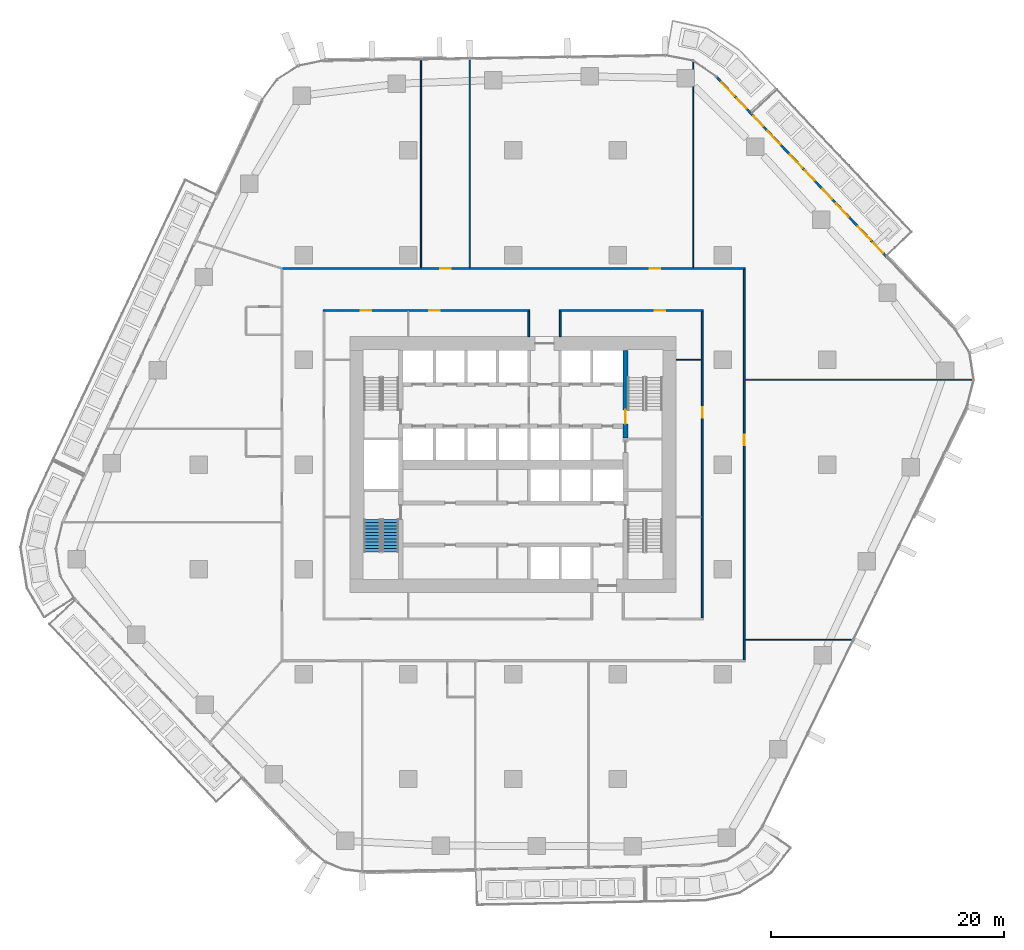
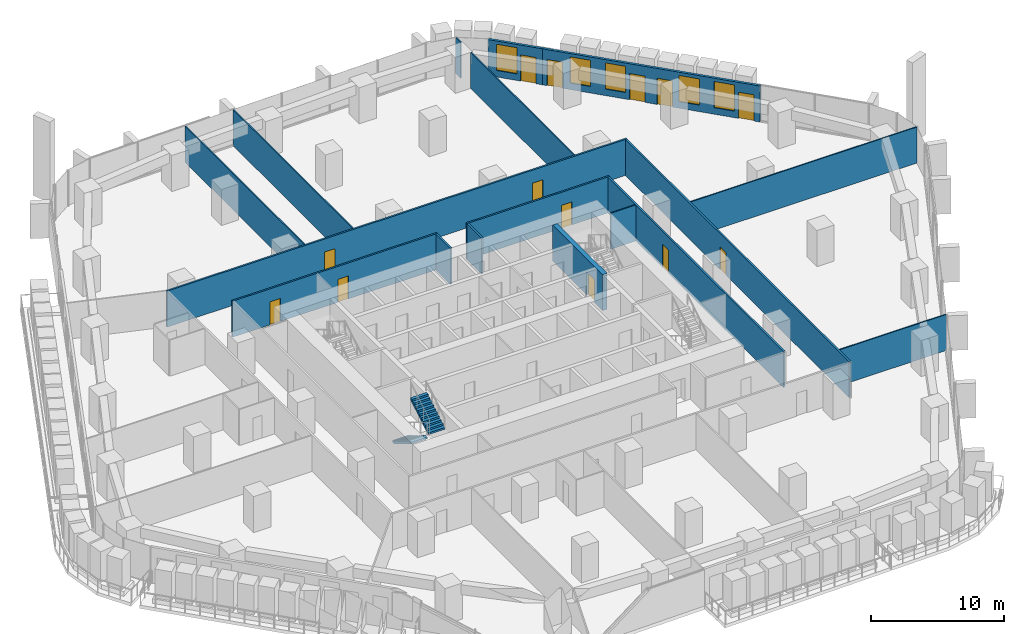
# One storey, part 17 of 25: 17 walls, 13 doors, 5 windows, 2 stair flights, 18 openings, 1 element without a shape of its own.
"""IFC4 building model written with IfcOpenShell, lengths in metres."""

from ifc_helpers import new_model, si_unit, direction, frame, frame_2d, origin, place, context, subcontext, project, spatial, polyline, rectangle, outline, extrude, material, layer, layer_set, type_object, element, fill, aggregate, save


model = new_model("IFC4")

# Units and contexts
model_context = context("Model", 3, precision=1e-05, world=origin(), true_north=direction((0.0, 1.0)))
body_context = subcontext(model_context, "Body", "Model", "MODEL_VIEW")
ifc_project = project(units=[si_unit("LENGTHUNIT", "METRE"), si_unit("AREAUNIT", "SQUARE_METRE"), si_unit("VOLUMEUNIT", "CUBIC_METRE"), si_unit("PLANEANGLEUNIT", "RADIAN"), si_unit("MASSUNIT", "GRAM", prefix="KILO")], contexts=[model_context])

# Site, building, storey
site_placement = place(None, origin())
site = spatial("IfcSite", under=ifc_project, at=site_placement, CompositionType="ELEMENT")
building_placement = place(site_placement, origin())
building = spatial("IfcBuilding", under=site, at=building_placement, Name="Dongbaek Canopy Tower", CompositionType="ELEMENT")
storey_placement = place(building_placement, frame((0.0, 0.0, 77.300048828125)))
storey = spatial("IfcBuildingStorey", under=building, at=storey_placement, Name="L15", CompositionType="ELEMENT", Elevation=77.300048828125)

# Wall, openings, doors
ifc_material_1 = material(Name="Gypsum board partition, steel stud, 2 x 15 mm fire board", Category="steel")
ifc_layer_1 = layer(ifc_material_1, 0.14990234375)
ifc_layer_set_1 = layer_set([ifc_layer_1], Name="Fire-rated partition 150 gypsum board")
wall_type_1 = type_object("IfcWallType", Name="Fire-rated partition 150 gypsum board", PredefinedType="PARTITIONING", material=ifc_layer_set_1)
wall_1_placement = place(storey_placement, frame((1.425048828125, 13.25, 0.0), z_axis=(0.0, 0.0, 1.0), x_axis=(-1.0, 0.0, 0.0)))
wall_1 = element("IfcWall", 1, at=wall_1_placement, inside=storey, type_object=wall_type_1, Name="Corridor partition", PredefinedType="PARTITIONING", context=body_context, shape_type="SweptSolid", body=[
    extrude(rectangle(XDim=17.75, YDim=0.14990234375, at=frame_2d((8.875, 0.0))), origin(), (0.0, 0.0, 1.0), 3.300048828125),
])
opening_1_placement = place(wall_1_placement, frame((7.72509765625, 0.0, 0.0)))
opening_1 = element("IfcOpeningElement", 2, at=opening_1_placement, cuts=wall_1, Name="Opening L15-D019", PredefinedType="OPENING", context=body_context, shape_type="SweptSolid", body=[
    extrude(rectangle(XDim=0.89990234375, YDim=2.10009765625, at=frame_2d((0.449951171875, 1.050048828125))), frame((0.0, 0.0849609375, 0.0), z_axis=(0.0, -1.0, 0.0), x_axis=(1.0, 0.0, 0.0)), (0.0, 0.0, 1.0), 0.169921875),
])
opening_2_placement = place(wall_1_placement, frame((13.60009765625, 0.0, 0.0)))
opening_2 = element("IfcOpeningElement", 3, at=opening_2_placement, cuts=wall_1, Name="Opening L15-D020", PredefinedType="OPENING", context=body_context, shape_type="SweptSolid", body=[
    extrude(rectangle(XDim=0.89990234375, YDim=2.10009765625, at=frame_2d((0.449951171875, 1.050048828125))), frame((0.0, 0.0849609375, 0.0), z_axis=(0.0, -1.0, 0.0), x_axis=(1.0, 0.0, 0.0)), (0.0, 0.0, 1.0), 0.169921875),
])
ifc_material_2 = material(Name="Timber veneered door leaf", Category="wood")
door_type_1 = type_object("IfcDoorType", Name="Room door 900 x 2100", OperationType="SINGLE_SWING_LEFT", PredefinedType="DOOR", material=ifc_material_2)
door_1_placement = place(opening_1_placement, origin())
door_1 = element("IfcDoor", 4, at=door_1_placement, inside=storey, type_object=door_type_1, Name="Door L15-D019", OperationType="SINGLE_SWING_LEFT", OverallHeight=2.10009765625, OverallWidth=0.89990234375, PredefinedType="DOOR", context=body_context, shape_type="SweptSolid", body=[
    extrude(rectangle(XDim=0.89990234375, YDim=2.10009765625, at=frame_2d((0.449951171875, 1.050048828125))), frame((0.0, 0.02490234375, 0.0), z_axis=(0.0, -1.0, 0.0), x_axis=(1.0, 0.0, 0.0)), (0.0, 0.0, 1.0), 0.050048828125),
])
fill(opening_1, door_1)
door_2_placement = place(opening_2_placement, origin())
door_2 = element("IfcDoor", 5, at=door_2_placement, inside=storey, type_object=door_type_1, Name="Door L15-D020", OperationType="SINGLE_SWING_RIGHT", OverallHeight=2.10009765625, OverallWidth=0.89990234375, PredefinedType="DOOR", context=body_context, shape_type="SweptSolid", body=[
    extrude(rectangle(XDim=0.89990234375, YDim=2.10009765625, at=frame_2d((0.449951171875, 1.050048828125))), frame((0.0, 0.02490234375, 0.0), z_axis=(0.0, -1.0, 0.0), x_axis=(1.0, 0.0, 0.0)), (0.0, 0.0, 1.0), 0.050048828125),
])
fill(opening_2, door_2)

# Wall, opening, door
wall_2_placement = place(storey_placement, frame((16.324951171875, 13.25, 0.0), z_axis=(0.0, 0.0, 1.0), x_axis=(-1.0, 0.0, 0.0)))
wall_2 = element("IfcWall", 6, at=wall_2_placement, inside=storey, type_object=wall_type_1, Name="Corridor partition", PredefinedType="PARTITIONING", context=body_context, shape_type="SweptSolid", body=[
    extrude(rectangle(XDim=12.349853515625, YDim=0.14990234375, at=frame_2d((6.1748046875, 0.0))), origin(), (0.0, 0.0, 1.0), 3.300048828125),
])
opening_3_placement = place(wall_2_placement, frame((3.25, 0.0, 0.0)))
opening_3 = element("IfcOpeningElement", 7, at=opening_3_placement, cuts=wall_2, Name="Opening L15-D018", PredefinedType="OPENING", context=body_context, shape_type="SweptSolid", body=[
    extrude(rectangle(XDim=0.89990234375, YDim=2.10009765625, at=frame_2d((0.449951171875, 1.050048828125))), frame((0.0, 0.0849609375, 0.0), z_axis=(0.0, -1.0, 0.0), x_axis=(1.0, 0.0, 0.0)), (0.0, 0.0, 1.0), 0.169921875),
])
door_3_placement = place(opening_3_placement, origin())
door_3 = element("IfcDoor", 8, at=door_3_placement, inside=storey, type_object=door_type_1, Name="Door L15-D018", OperationType="SINGLE_SWING_RIGHT", OverallHeight=2.10009765625, OverallWidth=0.89990234375, PredefinedType="DOOR", context=body_context, shape_type="SweptSolid", body=[
    extrude(rectangle(XDim=0.89990234375, YDim=2.10009765625, at=frame_2d((0.449951171875, 1.050048828125))), frame((0.0, 0.02490234375, 0.0), z_axis=(0.0, -1.0, 0.0), x_axis=(1.0, 0.0, 0.0)), (0.0, 0.0, 1.0), 0.050048828125),
])
fill(opening_3, door_3)

# Wall, openings, doors
wall_3_placement = place(storey_placement, frame((-19.925048828125, 16.85009765625, 0.0), z_axis=(0.0, 0.0, 1.0), x_axis=(1.0, 0.0, 0.0)))
wall_3 = element("IfcWall", 9, at=wall_3_placement, inside=storey, type_object=wall_type_1, Name="Corridor partition", PredefinedType="PARTITIONING", context=body_context, shape_type="SweptSolid", body=[
    extrude(rectangle(XDim=39.85009765625, YDim=0.14990234375, at=frame_2d((19.925048828125, 0.0))), origin(), (0.0, 0.0, 1.0), 3.300048828125),
])
opening_4_placement = place(wall_3_placement, frame((31.66748046875, 0.0, 0.0)))
opening_4 = element("IfcOpeningElement", 10, at=opening_4_placement, cuts=wall_3, Name="Opening L15-D010", PredefinedType="OPENING", context=body_context, shape_type="SweptSolid", body=[
    extrude(rectangle(XDim=0.89990234375, YDim=2.10009765625, at=frame_2d((0.449951171875, 1.050048828125))), frame((0.0, 0.0849609375, 0.0), z_axis=(0.0, -1.0, 0.0), x_axis=(1.0, 0.0, 0.0)), (0.0, 0.0, 1.0), 0.169921875),
])
opening_5_placement = place(wall_3_placement, frame((13.655517578125, 0.0, 0.0)))
opening_5 = element("IfcOpeningElement", 11, at=opening_5_placement, cuts=wall_3, Name="Opening L15-D011", PredefinedType="OPENING", context=body_context, shape_type="SweptSolid", body=[
    extrude(rectangle(XDim=0.89990234375, YDim=2.10009765625, at=frame_2d((0.449951171875, 1.050048828125))), frame((0.0, 0.0849609375, 0.0), z_axis=(0.0, -1.0, 0.0), x_axis=(1.0, 0.0, 0.0)), (0.0, 0.0, 1.0), 0.169921875),
])
door_4_placement = place(opening_4_placement, origin())
door_4 = element("IfcDoor", 12, at=door_4_placement, inside=storey, type_object=door_type_1, Name="Door L15-D010", OperationType="SINGLE_SWING_LEFT", OverallHeight=2.10009765625, OverallWidth=0.89990234375, PredefinedType="DOOR", context=body_context, shape_type="SweptSolid", body=[
    extrude(rectangle(XDim=0.89990234375, YDim=2.10009765625, at=frame_2d((0.449951171875, 1.050048828125))), frame((0.0, 0.02490234375, 0.0), z_axis=(0.0, -1.0, 0.0), x_axis=(1.0, 0.0, 0.0)), (0.0, 0.0, 1.0), 0.050048828125),
])
fill(opening_4, door_4)
door_5_placement = place(opening_5_placement, origin())
door_5 = element("IfcDoor", 13, at=door_5_placement, inside=storey, type_object=door_type_1, Name="Door L15-D011", OperationType="SINGLE_SWING_RIGHT", OverallHeight=2.10009765625, OverallWidth=0.89990234375, PredefinedType="DOOR", context=body_context, shape_type="SweptSolid", body=[
    extrude(rectangle(XDim=0.89990234375, YDim=2.10009765625, at=frame_2d((0.449951171875, 1.050048828125))), frame((0.0, 0.02490234375, 0.0), z_axis=(0.0, -1.0, 0.0), x_axis=(1.0, 0.0, 0.0)), (0.0, 0.0, 1.0), 0.050048828125),
])
fill(opening_5, door_5)

# Wall, opening, door
wall_4_placement = place(storey_placement, frame((19.85009765625, 16.77490234375, 0.0), z_axis=(0.0, 0.0, 1.0), x_axis=(0.0, -1.0, 0.0)))
wall_4 = element("IfcWall", 14, at=wall_4_placement, inside=storey, type_object=wall_type_1, Name="Corridor partition", PredefinedType="PARTITIONING", context=body_context, shape_type="SweptSolid", body=[
    extrude(rectangle(XDim=33.5498046875, YDim=0.14990234375, at=frame_2d((16.77490234375, 0.0))), origin(), (0.0, 0.0, 1.0), 3.300048828125),
])
opening_6_placement = place(wall_4_placement, frame((14.189697265625, 0.0, 0.0)))
opening_6 = element("IfcOpeningElement", 15, at=opening_6_placement, cuts=wall_4, Name="Opening L15-D009", PredefinedType="OPENING", context=body_context, shape_type="SweptSolid", body=[
    extrude(rectangle(XDim=0.89990234375, YDim=2.10009765625, at=frame_2d((0.449951171875, 1.050048828125))), frame((0.0, 0.0849609375, 0.0), z_axis=(0.0, -1.0, 0.0), x_axis=(1.0, 0.0, 0.0)), (0.0, 0.0, 1.0), 0.169921875),
])
door_6_placement = place(opening_6_placement, origin())
door_6 = element("IfcDoor", 16, at=door_6_placement, inside=storey, type_object=door_type_1, Name="Door L15-D009", OperationType="SINGLE_SWING_RIGHT", OverallHeight=2.10009765625, OverallWidth=0.89990234375, PredefinedType="DOOR", context=body_context, shape_type="SweptSolid", body=[
    extrude(rectangle(XDim=0.89990234375, YDim=2.10009765625, at=frame_2d((0.449951171875, 1.050048828125))), frame((0.0, 0.02490234375, 0.0), z_axis=(0.0, -1.0, 0.0), x_axis=(1.0, 0.0, 0.0)), (0.0, 0.0, 1.0), 0.050048828125),
])
fill(opening_6, door_6)

wall_5_placement = place(storey_placement, frame((16.25, -13.175048828125, 0.0), z_axis=(0.0, 0.0, 1.0), x_axis=(0.0, 1.0, 0.0)))
wall_5 = element("IfcWall", 17, at=wall_5_placement, inside=storey, type_object=wall_type_1, Name="Corridor partition", PredefinedType="PARTITIONING", context=body_context, shape_type="SweptSolid", body=[
    extrude(rectangle(XDim=26.35009765625, YDim=0.14990234375, at=frame_2d((13.175048828125, 0.0))), origin(), (0.0, 0.0, 1.0), 3.300048828125),
])
opening_7_placement = place(wall_5_placement, frame((17.22509765625, 0.0, 0.0)))
opening_7 = element("IfcOpeningElement", 18, at=opening_7_placement, cuts=wall_5, Name="Opening L15-D017", PredefinedType="OPENING", context=body_context, shape_type="SweptSolid", body=[
    extrude(rectangle(XDim=0.89990234375, YDim=2.10009765625, at=frame_2d((0.449951171875, 1.050048828125))), frame((0.0, 0.0849609375, 0.0), z_axis=(0.0, -1.0, 0.0), x_axis=(1.0, 0.0, 0.0)), (0.0, 0.0, 1.0), 0.169921875),
])
door_7_placement = place(opening_7_placement, origin())
door_7 = element("IfcDoor", 19, at=door_7_placement, inside=storey, type_object=door_type_1, Name="Door L15-D017", OperationType="SINGLE_SWING_LEFT", OverallHeight=2.10009765625, OverallWidth=0.89990234375, PredefinedType="DOOR", context=body_context, shape_type="SweptSolid", body=[
    extrude(rectangle(XDim=0.89990234375, YDim=2.10009765625, at=frame_2d((0.449951171875, 1.050048828125))), frame((0.0, 0.02490234375, 0.0), z_axis=(0.0, -1.0, 0.0), x_axis=(1.0, 0.0, 0.0)), (0.0, 0.0, 1.0), 0.050048828125),
])
fill(opening_7, door_7)

# Walls
for number, where, z_axis, x_axis, name in (
    (20, (4.050048828125, 11.0, 0.0), (0.0, 0.0, 1.0), (0.0, 1.0, 0.0), "Corridor partition"),
    (21, (1.35009765625, 11.0, 0.0), (0.0, 0.0, 1.0), (0.0, 1.0, 0.0), "Corridor partition"),
):
    element("IfcWall", number, at=place(storey_placement, frame(where, z_axis=z_axis, x_axis=x_axis)), inside=storey, type_object=wall_type_1, Name=name, PredefinedType="PARTITIONING", context=body_context, shape_type="SweptSolid", body=[
        extrude(rectangle(XDim=2.175048828125, YDim=0.14990234375, at=frame_2d((1.08740234375, 0.0))), origin(), (0.0, 0.0, 1.0), 3.300048828125),
    ])
ifc_material_3 = material(Name="Gypsum board partition, steel stud, 2 x 12.5 mm board", Category="steel")
ifc_layer_2 = layer(ifc_material_3, 0.10009765625)
ifc_layer_set_2 = layer_set([ifc_layer_2], Name="Partition 100 gypsum board")
wall_type_2 = type_object("IfcWallType", Name="Partition 100 gypsum board", PredefinedType="PARTITIONING", material=ifc_layer_set_2)
wall_6_placement = place(storey_placement, frame((19.925048828125, -15.048095703125, 0.0), z_axis=(0.0, 0.0, 1.0), x_axis=(1.0, 0.0, 0.0)))
element("IfcWall", 22, at=wall_6_placement, inside=storey, type_object=wall_type_2, Name="Partition", PredefinedType="PARTITIONING", context=body_context, shape_type="SweptSolid", body=[
    extrude(rectangle(XDim=9.259765625, YDim=0.10009765625, at=frame_2d((4.6298828125, 0.0))), origin(), (0.0, 0.0, 1.0), 3.300048828125),
])
wall_7_placement = place(storey_placement, frame((19.925048828125, 7.2900390625, 0.0), z_axis=(0.0, 0.0, 1.0), x_axis=(1.0, 0.0, 0.0)))
element("IfcWall", 23, at=wall_7_placement, inside=storey, type_object=wall_type_2, Name="Partition", PredefinedType="PARTITIONING", context=body_context, shape_type="SweptSolid", body=[
    extrude(rectangle(XDim=19.608642578125, YDim=0.10009765625, at=frame_2d((9.80419921875, 0.0))), origin(), (0.0, 0.0, 1.0), 3.300048828125),
])
wall_8_placement = place(storey_placement, frame((14.0, 9.0, 0.0), z_axis=(0.0, 0.0, 1.0), x_axis=(1.0, 0.0, 0.0)))
element("IfcWall", 24, at=wall_8_placement, inside=storey, type_object=wall_type_2, Name="Partition", PredefinedType="PARTITIONING", context=body_context, shape_type="SweptSolid", body=[
    extrude(rectangle(XDim=2.175048828125, YDim=0.10009765625, at=frame_2d((1.08740234375, 0.0))), origin(), (0.0, 0.0, 1.0), 3.300048828125),
])
wall_9_placement = place(storey_placement, frame((15.4609375, 16.925048828125, 0.0), z_axis=(0.0, 0.0, 1.0), x_axis=(0.0, 1.0, 0.0)))
element("IfcWall", 25, at=wall_9_placement, inside=storey, type_object=wall_type_2, Name="Partition", PredefinedType="PARTITIONING", context=body_context, shape_type="SweptSolid", body=[
    extrude(rectangle(XDim=15.51904296875, YDim=0.10009765625, at=frame_2d((7.759521484375, 0.0))), origin(), (0.0, 0.0, 1.0), 3.300048828125),
])
wall_10_placement = place(storey_placement, frame((15.4609375, 33.944091796875, 0.0), z_axis=(0.0, 0.0, 1.0), x_axis=(0.0, 1.0, 0.0)))
element("IfcWall", 26, at=wall_10_placement, inside=storey, type_object=wall_type_2, Name="Partition", PredefinedType="PARTITIONING", context=body_context, shape_type="SweptSolid", body=[
    extrude(rectangle(XDim=0.72509765625, YDim=0.10009765625, at=frame_2d((0.362548828125, 0.0))), origin(), (0.0, 0.0, 1.0), 3.300048828125),
])
wall_11_placement = place(storey_placement, frame((-3.719970703125, 16.925048828125, 0.0), z_axis=(0.0, 0.0, 1.0), x_axis=(0.0, 1.0, 0.0)))
element("IfcWall", 27, at=wall_11_placement, inside=storey, type_object=wall_type_2, Name="Partition", PredefinedType="PARTITIONING", context=body_context, shape_type="SweptSolid", body=[
    extrude(rectangle(XDim=17.94775390625, YDim=0.10009765625, at=frame_2d((8.973876953125, 0.0))), origin(), (0.0, 0.0, 1.0), 3.300048828125),
])
wall_12_placement = place(storey_placement, frame((-7.9189453125, 16.925048828125, 0.0), z_axis=(0.0, 0.0, 1.0), x_axis=(0.0, 1.0, 0.0)))
element("IfcWall", 28, at=wall_12_placement, inside=storey, type_object=wall_type_2, Name="Partition", PredefinedType="PARTITIONING", context=body_context, shape_type="SweptSolid", body=[
    extrude(rectangle(XDim=17.88134765625, YDim=0.10009765625, at=frame_2d((8.940673828125, 0.0))), origin(), (0.0, 0.0, 1.0), 3.300048828125),
])

# Wall, opening, door
ifc_material_4 = material(Name="Concrete C60/75", Category="concrete")
ifc_layer_3 = layer(ifc_material_4, 0.39990234375)
ifc_layer_set_3 = layer_set([ifc_layer_3], Name="Stair wall 400 Concrete C60/75")
wall_type_3 = type_object("IfcWallType", Name="Stair wall 400 Concrete C60/75", PredefinedType="SHEAR", material=ifc_layer_set_3)
wall_13_placement = place(storey_placement, frame((9.64990234375, 9.800048828125, 0.0), z_axis=(0.0, 0.0, 1.0), x_axis=(0.0, -1.0, 0.0)))
wall_13 = element("IfcWall", 29, at=wall_13_placement, inside=storey, type_object=wall_type_3, Name="Stair wall", PredefinedType="SHEAR", context=body_context, shape_type="SweptSolid", body=[
    extrude(rectangle(XDim=7.5, YDim=0.39990234375, at=frame_2d((3.75, 0.0))), origin(), (0.0, 0.0, 1.0), 3.300048828125),
])
opening_8_placement = place(wall_13_placement, frame((5.10009765625, 0.0, 0.0)))
opening_8 = element("IfcOpeningElement", 30, at=opening_8_placement, cuts=wall_13, Name="Opening L15-D045", PredefinedType="OPENING", context=body_context, shape_type="SweptSolid", body=[
    extrude(rectangle(XDim=1.199951171875, YDim=2.10009765625, at=frame_2d((0.60009765625, 1.050048828125))), frame((0.0, 0.2099609375, 0.0), z_axis=(0.0, -1.0, 0.0), x_axis=(1.0, 0.0, 0.0)), (0.0, 0.0, 1.0), 0.419921875),
])
ifc_material_5 = material(Name="Steel", Category="steel")
door_type_2 = type_object("IfcDoorType", Name="Stair door 1200 x 2100", OperationType="SINGLE_SWING_LEFT", PredefinedType="DOOR", material=ifc_material_5)
door_8_placement = place(opening_8_placement, origin())
door_8 = element("IfcDoor", 31, at=door_8_placement, inside=storey, type_object=door_type_2, Name="Stair A door", OperationType="SINGLE_SWING_LEFT", OverallHeight=2.10009765625, OverallWidth=1.199951171875, PredefinedType="DOOR", context=body_context, shape_type="SweptSolid", body=[
    extrude(rectangle(XDim=1.199951171875, YDim=2.10009765625, at=frame_2d((0.60009765625, 1.050048828125))), frame((0.0, 0.02490234375, 0.0), z_axis=(0.0, -1.0, 0.0), x_axis=(1.0, 0.0, 0.0)), (0.0, 0.0, 1.0), 0.050048828125),
])
fill(opening_8, door_8)

# Wall, openings, doors, windows
ifc_material_6 = material(Name="Aluminium window wall", Category="aluminium")
ifc_layer_4 = layer(ifc_material_6, 0.199951171875)
ifc_layer_set_4 = layer_set([ifc_layer_4], Name="Window wall 200")
wall_type_4 = type_object("IfcWallType", Name="Window wall 200", PredefinedType="SOLIDWALL", material=ifc_layer_set_4)
wall_14_placement = place(storey_placement, frame((32.095703125, 17.8291015625, 0.0), z_axis=(0.0, 0.0, 1.0), x_axis=(-0.686998594428, 0.726658744704, 0.0)))
wall_14 = element("IfcWall", 32, at=wall_14_placement, inside=storey, type_object=wall_type_4, Name="Window wall L15 1", PredefinedType="SOLIDWALL", context=body_context, shape_type="SweptSolid", body=[
    extrude(rectangle(XDim=17.04541015625, YDim=0.199951171875, at=frame_2d((8.522705078125, 0.0))), origin(), (0.0, 0.0, 1.0), 3.300048828125),
])
opening_9_placement = place(wall_14_placement, frame((2.0, 0.0, 0.60009765625)))
opening_9 = element("IfcOpeningElement", 33, at=opening_9_placement, cuts=wall_14, Name="Opening W1", PredefinedType="OPENING", context=body_context, shape_type="SweptSolid", body=[
    extrude(rectangle(XDim=1.60009765625, YDim=2.39990234375, at=frame_2d((0.800048828125, 1.199951171875))), frame((0.0, 0.10986328125, 0.0), z_axis=(0.0, -1.0, 0.0), x_axis=(1.0, 0.0, 0.0)), (0.0, 0.0, 1.0), 0.219970703125),
])
opening_10_placement = place(wall_14_placement, frame((0.5, 0.0, 0.0)))
opening_10 = element("IfcOpeningElement", 34, at=opening_10_placement, cuts=wall_14, Name="Opening L15-B01", PredefinedType="OPENING", context=body_context, shape_type="SweptSolid", body=[
    extrude(rectangle(XDim=1.199951171875, YDim=2.39990234375, at=frame_2d((0.60009765625, 1.199951171875))), frame((0.0, 0.10986328125, 0.0), z_axis=(0.0, -1.0, 0.0), x_axis=(1.0, 0.0, 0.0)), (0.0, 0.0, 1.0), 0.219970703125),
])
opening_11_placement = place(wall_14_placement, frame((4.761474609375, 0.0, 0.60009765625)))
opening_11 = element("IfcOpeningElement", 35, at=opening_11_placement, cuts=wall_14, Name="Opening W1", PredefinedType="OPENING", context=body_context, shape_type="SweptSolid", body=[
    extrude(rectangle(XDim=1.60009765625, YDim=2.39990234375, at=frame_2d((0.800048828125, 1.199951171875))), frame((0.0, 0.10986328125, 0.0), z_axis=(0.0, -1.0, 0.0), x_axis=(1.0, 0.0, 0.0)), (0.0, 0.0, 1.0), 0.219970703125),
])
opening_12_placement = place(wall_14_placement, frame((6.861328125, 0.0, 0.0)))
opening_12 = element("IfcOpeningElement", 36, at=opening_12_placement, cuts=wall_14, Name="Opening L15-B02", PredefinedType="OPENING", context=body_context, shape_type="SweptSolid", body=[
    extrude(rectangle(XDim=1.199951171875, YDim=2.39990234375, at=frame_2d((0.60009765625, 1.199951171875))), frame((0.0, 0.10986328125, 0.0), z_axis=(0.0, -1.0, 0.0), x_axis=(1.0, 0.0, 0.0)), (0.0, 0.0, 1.0), 0.219970703125),
])
opening_13_placement = place(wall_14_placement, frame((10.522705078125, 0.0, 0.60009765625)))
opening_13 = element("IfcOpeningElement", 37, at=opening_13_placement, cuts=wall_14, Name="Opening W1", PredefinedType="OPENING", context=body_context, shape_type="SweptSolid", body=[
    extrude(rectangle(XDim=1.60009765625, YDim=2.39990234375, at=frame_2d((0.800048828125, 1.199951171875))), frame((0.0, 0.10986328125, 0.0), z_axis=(0.0, -1.0, 0.0), x_axis=(1.0, 0.0, 0.0)), (0.0, 0.0, 1.0), 0.219970703125),
])
opening_14_placement = place(wall_14_placement, frame((9.022705078125, 0.0, 0.0)))
opening_14 = element("IfcOpeningElement", 38, at=opening_14_placement, cuts=wall_14, Name="Opening L15-B03", PredefinedType="OPENING", context=body_context, shape_type="SweptSolid", body=[
    extrude(rectangle(XDim=1.199951171875, YDim=2.39990234375, at=frame_2d((0.60009765625, 1.199951171875))), frame((0.0, 0.10986328125, 0.0), z_axis=(0.0, -1.0, 0.0), x_axis=(1.0, 0.0, 0.0)), (0.0, 0.0, 1.0), 0.219970703125),
])
opening_15_placement = place(wall_14_placement, frame((13.2841796875, 0.0, 0.60009765625)))
opening_15 = element("IfcOpeningElement", 39, at=opening_15_placement, cuts=wall_14, Name="Opening W1", PredefinedType="OPENING", context=body_context, shape_type="SweptSolid", body=[
    extrude(rectangle(XDim=1.60009765625, YDim=2.39990234375, at=frame_2d((0.800048828125, 1.199951171875))), frame((0.0, 0.10986328125, 0.0), z_axis=(0.0, -1.0, 0.0), x_axis=(1.0, 0.0, 0.0)), (0.0, 0.0, 1.0), 0.219970703125),
])
opening_16_placement = place(wall_14_placement, frame((15.484130859375, 0.0, 0.0)))
opening_16 = element("IfcOpeningElement", 40, at=opening_16_placement, cuts=wall_14, Name="Opening L15-B04", PredefinedType="OPENING", context=body_context, shape_type="SweptSolid", body=[
    extrude(rectangle(XDim=1.199951171875, YDim=2.39990234375, at=frame_2d((0.60009765625, 1.199951171875))), frame((0.0, 0.10986328125, 0.0), z_axis=(0.0, -1.0, 0.0), x_axis=(1.0, 0.0, 0.0)), (0.0, 0.0, 1.0), 0.219970703125),
])
ifc_material_7 = material(Name="Clear glazing in aluminium frame", Category="aluminium")
door_type_3 = type_object("IfcDoorType", Name="Balcony door BD1 1200 x 2400", OperationType="SLIDING_TO_LEFT", PredefinedType="DOOR", material=ifc_material_7)
door_9_placement = place(opening_10_placement, origin())
door_9 = element("IfcDoor", 41, at=door_9_placement, inside=storey, type_object=door_type_3, Name="Balcony door L15-B01", OperationType="SLIDING_TO_LEFT", OverallHeight=2.39990234375, OverallWidth=1.199951171875, PredefinedType="DOOR", context=body_context, shape_type="SweptSolid", body=[
    extrude(rectangle(XDim=1.199951171875, YDim=2.39990234375, at=frame_2d((0.60009765625, 1.199951171875))), frame((0.0, 0.02490234375, 0.0), z_axis=(0.0, -1.0, 0.0), x_axis=(1.0, 0.0, 0.0)), (0.0, 0.0, 1.0), 0.050048828125),
])
fill(opening_10, door_9)
door_10_placement = place(opening_12_placement, origin())
door_10 = element("IfcDoor", 42, at=door_10_placement, inside=storey, type_object=door_type_3, Name="Balcony door L15-B02", OperationType="SLIDING_TO_LEFT", OverallHeight=2.39990234375, OverallWidth=1.199951171875, PredefinedType="DOOR", context=body_context, shape_type="SweptSolid", body=[
    extrude(rectangle(XDim=1.199951171875, YDim=2.39990234375, at=frame_2d((0.60009765625, 1.199951171875))), frame((0.0, 0.02490234375, 0.0), z_axis=(0.0, -1.0, 0.0), x_axis=(1.0, 0.0, 0.0)), (0.0, 0.0, 1.0), 0.050048828125),
])
fill(opening_12, door_10)
door_11_placement = place(opening_14_placement, origin())
door_11 = element("IfcDoor", 43, at=door_11_placement, inside=storey, type_object=door_type_3, Name="Balcony door L15-B03", OperationType="SLIDING_TO_LEFT", OverallHeight=2.39990234375, OverallWidth=1.199951171875, PredefinedType="DOOR", context=body_context, shape_type="SweptSolid", body=[
    extrude(rectangle(XDim=1.199951171875, YDim=2.39990234375, at=frame_2d((0.60009765625, 1.199951171875))), frame((0.0, 0.02490234375, 0.0), z_axis=(0.0, -1.0, 0.0), x_axis=(1.0, 0.0, 0.0)), (0.0, 0.0, 1.0), 0.050048828125),
])
fill(opening_14, door_11)
door_12_placement = place(opening_16_placement, origin())
door_12 = element("IfcDoor", 44, at=door_12_placement, inside=storey, type_object=door_type_3, Name="Balcony door L15-B04", OperationType="SLIDING_TO_LEFT", OverallHeight=2.39990234375, OverallWidth=1.199951171875, PredefinedType="DOOR", context=body_context, shape_type="SweptSolid", body=[
    extrude(rectangle(XDim=1.199951171875, YDim=2.39990234375, at=frame_2d((0.60009765625, 1.199951171875))), frame((0.0, 0.02490234375, 0.0), z_axis=(0.0, -1.0, 0.0), x_axis=(1.0, 0.0, 0.0)), (0.0, 0.0, 1.0), 0.050048828125),
])
fill(opening_16, door_12)
ifc_material_8 = material(Name="Clear glazing in aluminium frame", Category="aluminium")
window_type = type_object("IfcWindowType", Name="Window W1 1600 x 2400", PartitioningType="SINGLE_PANEL", PredefinedType="WINDOW", material=ifc_material_8)
window_1_placement = place(opening_9_placement, origin())
window_1 = element("IfcWindow", 45, at=window_1_placement, inside=storey, type_object=window_type, Name="Window L15 1.1", OverallHeight=2.39990234375, OverallWidth=1.60009765625, PartitioningType="SINGLE_PANEL", PredefinedType="WINDOW", context=body_context, shape_type="SweptSolid", body=[
    extrude(rectangle(XDim=1.60009765625, YDim=2.39990234375, at=frame_2d((0.800048828125, 1.199951171875))), frame((0.0, 0.030029296875, 0.0), z_axis=(0.0, -1.0, 0.0), x_axis=(1.0, 0.0, 0.0)), (0.0, 0.0, 1.0), 0.06005859375),
])
fill(opening_9, window_1)
window_2_placement = place(opening_11_placement, origin())
window_2 = element("IfcWindow", 46, at=window_2_placement, inside=storey, type_object=window_type, Name="Window L15 1.2", OverallHeight=2.39990234375, OverallWidth=1.60009765625, PartitioningType="SINGLE_PANEL", PredefinedType="WINDOW", context=body_context, shape_type="SweptSolid", body=[
    extrude(rectangle(XDim=1.60009765625, YDim=2.39990234375, at=frame_2d((0.800048828125, 1.199951171875))), frame((0.0, 0.030029296875, 0.0), z_axis=(0.0, -1.0, 0.0), x_axis=(1.0, 0.0, 0.0)), (0.0, 0.0, 1.0), 0.06005859375),
])
fill(opening_11, window_2)
window_3_placement = place(opening_13_placement, origin())
window_3 = element("IfcWindow", 47, at=window_3_placement, inside=storey, type_object=window_type, Name="Window L15 1.3", OverallHeight=2.39990234375, OverallWidth=1.60009765625, PartitioningType="SINGLE_PANEL", PredefinedType="WINDOW", context=body_context, shape_type="SweptSolid", body=[
    extrude(rectangle(XDim=1.60009765625, YDim=2.39990234375, at=frame_2d((0.800048828125, 1.199951171875))), frame((0.0, 0.030029296875, 0.0), z_axis=(0.0, -1.0, 0.0), x_axis=(1.0, 0.0, 0.0)), (0.0, 0.0, 1.0), 0.06005859375),
])
fill(opening_13, window_3)
window_4_placement = place(opening_15_placement, origin())
window_4 = element("IfcWindow", 48, at=window_4_placement, inside=storey, type_object=window_type, Name="Window L15 1.4", OverallHeight=2.39990234375, OverallWidth=1.60009765625, PartitioningType="SINGLE_PANEL", PredefinedType="WINDOW", context=body_context, shape_type="SweptSolid", body=[
    extrude(rectangle(XDim=1.60009765625, YDim=2.39990234375, at=frame_2d((0.800048828125, 1.199951171875))), frame((0.0, 0.030029296875, 0.0), z_axis=(0.0, -1.0, 0.0), x_axis=(1.0, 0.0, 0.0)), (0.0, 0.0, 1.0), 0.06005859375),
])
fill(opening_15, window_4)

# Wall, openings, door, window
wall_15_placement = place(storey_placement, frame((20.385498046875, 30.21533203125, 0.0), z_axis=(0.0, 0.0, 1.0), x_axis=(-0.68701469064, 0.726643526666, 0.0)))
wall_15 = element("IfcWall", 49, at=wall_15_placement, inside=storey, type_object=wall_type_4, Name="Window wall L15 5", PredefinedType="SOLIDWALL", context=body_context, shape_type="SweptSolid", body=[
    extrude(rectangle(XDim=4.2509765625, YDim=0.199951171875, at=frame_2d((2.12548828125, 0.0))), origin(), (0.0, 0.0, 1.0), 3.300048828125),
])
opening_17_placement = place(wall_15_placement, frame((2.0, 0.0, 0.60009765625)))
opening_17 = element("IfcOpeningElement", 50, at=opening_17_placement, cuts=wall_15, Name="Opening W1", PredefinedType="OPENING", context=body_context, shape_type="SweptSolid", body=[
    extrude(rectangle(XDim=1.60009765625, YDim=2.39990234375, at=frame_2d((0.800048828125, 1.199951171875))), frame((0.0, 0.10986328125, 0.0), z_axis=(0.0, -1.0, 0.0), x_axis=(1.0, 0.0, 0.0)), (0.0, 0.0, 1.0), 0.219970703125),
])
opening_18_placement = place(wall_15_placement, frame((0.5, 0.0, 0.0)))
opening_18 = element("IfcOpeningElement", 51, at=opening_18_placement, cuts=wall_15, Name="Opening L15-B05", PredefinedType="OPENING", context=body_context, shape_type="SweptSolid", body=[
    extrude(rectangle(XDim=1.199951171875, YDim=2.39990234375, at=frame_2d((0.60009765625, 1.199951171875))), frame((0.0, 0.10986328125, 0.0), z_axis=(0.0, -1.0, 0.0), x_axis=(1.0, 0.0, 0.0)), (0.0, 0.0, 1.0), 0.219970703125),
])
door_13_placement = place(opening_18_placement, origin())
door_13 = element("IfcDoor", 52, at=door_13_placement, inside=storey, type_object=door_type_3, Name="Balcony door L15-B05", OperationType="SLIDING_TO_LEFT", OverallHeight=2.39990234375, OverallWidth=1.199951171875, PredefinedType="DOOR", context=body_context, shape_type="SweptSolid", body=[
    extrude(rectangle(XDim=1.199951171875, YDim=2.39990234375, at=frame_2d((0.60009765625, 1.199951171875))), frame((0.0, 0.02490234375, 0.0), z_axis=(0.0, -1.0, 0.0), x_axis=(1.0, 0.0, 0.0)), (0.0, 0.0, 1.0), 0.050048828125),
])
fill(opening_18, door_13)
window_5_placement = place(opening_17_placement, origin())
window_5 = element("IfcWindow", 53, at=window_5_placement, inside=storey, type_object=window_type, Name="Window L15 5.1", OverallHeight=2.39990234375, OverallWidth=1.60009765625, PartitioningType="SINGLE_PANEL", PredefinedType="WINDOW", context=body_context, shape_type="SweptSolid", body=[
    extrude(rectangle(XDim=1.60009765625, YDim=2.39990234375, at=frame_2d((0.800048828125, 1.199951171875))), frame((0.0, 0.030029296875, 0.0), z_axis=(0.0, -1.0, 0.0), x_axis=(1.0, 0.0, 0.0)), (0.0, 0.0, 1.0), 0.06005859375),
])
fill(opening_17, window_5)

# Stair, stair flights
ifc_material_9 = material(Name="Concrete C40/50", Category="concrete")
stair_type = type_object("IfcStairType", Name="Core exit stair", PredefinedType="HALF_TURN_STAIR", material=ifc_material_9)
stair_placement = place(storey_placement, origin())
stair = element("IfcStair", 54, at=stair_placement, inside=storey, type_object=stair_type, Name="L15 exit stair D", PredefinedType="HALF_TURN_STAIR")
ifc_material_10 = material(Name="Concrete C40/50", Category="concrete")
ifc_layer_5 = layer(ifc_material_10, 0.14990234375)
ifc_layer_set_5 = layer_set([ifc_layer_5], Name="Core stair flight 150 waist")
stair_flight_type = type_object("IfcStairFlightType", Name="Core stair flight 150 waist", PredefinedType="STRAIGHT", material=ifc_layer_set_5)
stair_flight_1_placement = place(storey_placement, frame((-12.10009765625, -4.699951171875, 0.0), z_axis=(0.0, 0.0, 1.0), x_axis=(0.0, -1.0, 0.0)))
stair_flight_1 = element("IfcStairFlight", 55, at=stair_flight_1_placement, type_object=stair_flight_type, Name="ST-D flight 1", NumberOfRisers=11, NumberOfTreads=10, PredefinedType="STRAIGHT", RiserHeight=0.168181818, TreadLength=0.28, context=body_context, shape_type="SweptSolid", body=[
    extrude(outline(polyline([(0.0, 0.0), (0.0, 0.168212890625), (0.280029296875, 0.168212890625), (0.280029296875, 0.33642578125), (0.56005859375, 0.33642578125), (0.56005859375, 0.504638671875), (0.840087890625, 0.504638671875), (0.840087890625, 0.672607421875), (1.1201171875, 0.672607421875), (1.1201171875, 0.8408203125), (1.39990234375, 0.8408203125), (1.39990234375, 1.009033203125), (1.679931640625, 1.009033203125), (1.679931640625, 1.17724609375), (1.9599609375, 1.17724609375), (1.9599609375, 1.345458984375), (2.239990234375, 1.345458984375), (2.239990234375, 1.513671875), (2.52001953125, 1.513671875), (2.52001953125, 1.681884765625), (2.800048828125, 1.681884765625), (2.800048828125, 1.85009765625), (2.800048828125, 1.5068359375), (0.291015625, 0.0), (0.0, 0.0)])), frame((0.0, 0.699951171875, 0.0), z_axis=(0.0, -1.0, 0.0), x_axis=(1.0, 0.0, 0.0)), (0.0, 0.0, 1.0), 1.39990234375),
])
stair_flight_2_placement = place(storey_placement, frame((-10.550048828125, -7.5, 1.849853515625), z_axis=(0.0, 0.0, 1.0), x_axis=(0.0, 1.0, 0.0)))
stair_flight_2 = element("IfcStairFlight", 56, at=stair_flight_2_placement, type_object=stair_flight_type, Name="ST-D flight 2", NumberOfRisers=11, NumberOfTreads=10, PredefinedType="STRAIGHT", RiserHeight=0.168181818, TreadLength=0.28, context=body_context, shape_type="SweptSolid", body=[
    extrude(outline(polyline([(0.0, 0.0), (0.0, 0.168212890625), (0.280029296875, 0.168212890625), (0.280029296875, 0.33642578125), (0.56005859375, 0.33642578125), (0.56005859375, 0.504638671875), (0.840087890625, 0.504638671875), (0.840087890625, 0.672607421875), (1.1201171875, 0.672607421875), (1.1201171875, 0.8408203125), (1.39990234375, 0.8408203125), (1.39990234375, 1.009033203125), (1.679931640625, 1.009033203125), (1.679931640625, 1.17724609375), (1.9599609375, 1.17724609375), (1.9599609375, 1.345458984375), (2.239990234375, 1.345458984375), (2.239990234375, 1.513671875), (2.52001953125, 1.513671875), (2.52001953125, 1.681884765625), (2.800048828125, 1.681884765625), (2.800048828125, 1.85009765625), (2.800048828125, 1.5068359375), (0.291015625, 0.0), (0.0, 0.0)])), frame((0.0, 0.699951171875, 0.0), z_axis=(0.0, -1.0, 0.0), x_axis=(1.0, 0.0, 0.0)), (0.0, 0.0, 1.0), 1.39990234375),
])
aggregate(stair, [stair_flight_1, stair_flight_2])

save(model, "model.ifc")
